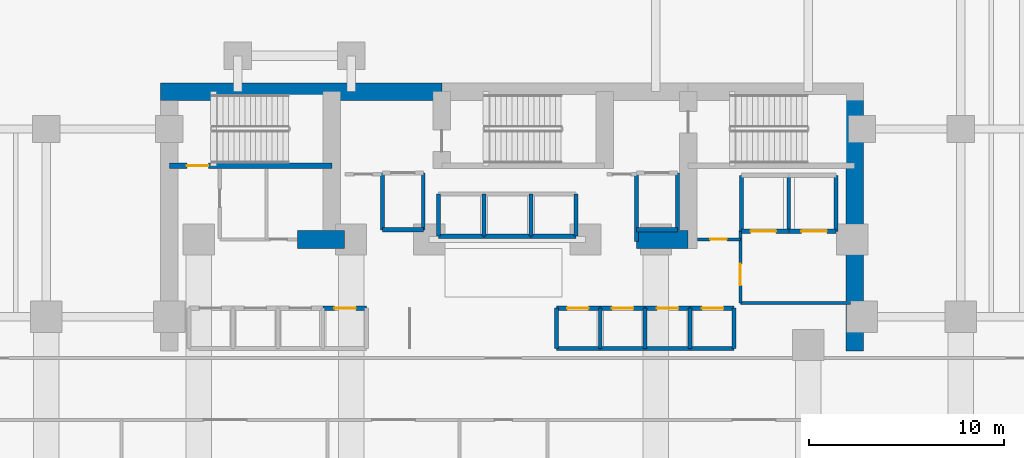
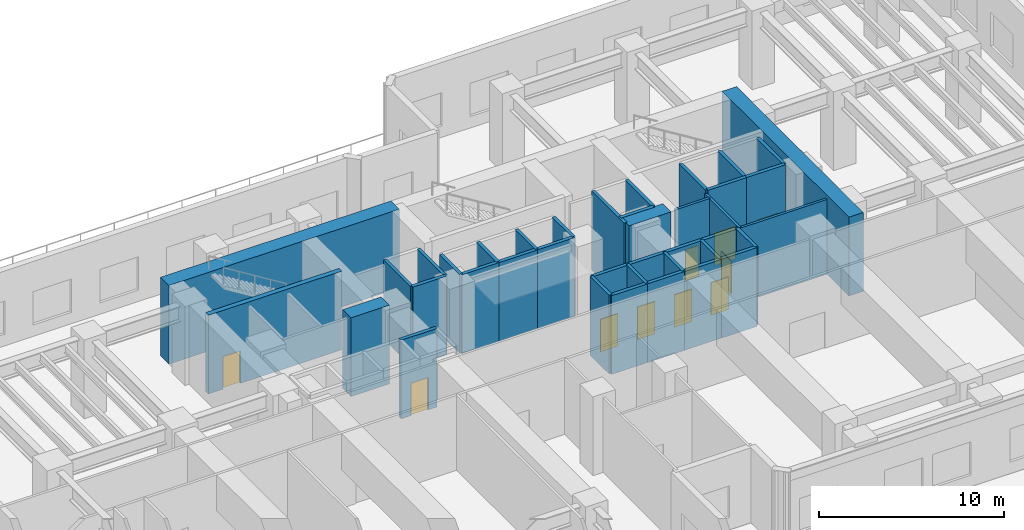
# One storey, part 6 of 13: 40 walls, 10 doors, 10 openings.
"""IFC4 building model written with IfcOpenShell, lengths in metres."""

import ifcopenshell
import ifcopenshell.guid

model = None  # the IFC model being written
_history = None  # IfcOwnerHistory: only IFC2X3 demands one
_inside = {}  # id of a spatial element -> (the spatial element, [elements in it])
_under = {}  # id of a project, library or spatial element -> (it, [spatial elements below it])
_declared = {}  # id of a project -> (the project, [libraries it declares])
_typed = {}  # id of a type object -> (the type object, [elements of that type])
_made_of = {}  # id of a material, layer set ... -> (it, [elements and type objects made of it])


def new_model(schema):
    """Start an empty IFC model of exactly this schema.

    Asked for "IFC4X3", IfcOpenShell would pick the latest addendum, in which some entities
    have other attributes; the version numbers below select the first issue.
    IFC2X3 requires an IfcOwnerHistory on every rooted entity: one is made here for all.
    """
    global model, _history
    if schema == "IFC4X3":
        model = ifcopenshell.file(schema_version=(4, 3, 0, 0))
    else:
        model = ifcopenshell.file(schema=schema)
    _inside.clear()
    _under.clear()
    _declared.clear()
    _typed.clear()
    _made_of.clear()
    _history = None
    if model.schema == "IFC2X3":
        org = make("IfcOrganization", Name="unknown")
        user = make(
            "IfcPersonAndOrganization",
            ThePerson=make("IfcPerson", FamilyName="unknown"),
            TheOrganization=org,
        )
        app = make(
            "IfcApplication",
            ApplicationDeveloper=org,
            Version="unknown",
            ApplicationFullName="unknown",
            ApplicationIdentifier="unknown",
        )
        _history = make(
            "IfcOwnerHistory",
            OwningUser=user,
            OwningApplication=app,
            ChangeAction="ADDED",
            CreationDate=0,
        )
    return model


def make(cls, **values):
    """One entity of the class cls with the attributes given. An attribute that is None is left unset."""
    return model.create_entity(
        cls, **{name: value for name, value in values.items() if value is not None}
    )


def rooted(cls, **values):
    """An entity with a GlobalId (a new one), such as an element, a storey or a relation."""
    return make(cls, GlobalId=ifcopenshell.guid.new(), OwnerHistory=_history, **values)


def si_unit(unit_type, name, prefix=None):
    """IfcSIUnit, for example si_unit("LENGTHUNIT", "METRE", prefix="MILLI")."""
    return make("IfcSIUnit", UnitType=unit_type, Prefix=prefix, Name=name)


def assignment(units):
    """IfcUnitAssignment: the units of a project."""
    return None if units is None else make("IfcUnitAssignment", Units=units)


def point(xyz):
    """IfcCartesianPoint."""
    return None if xyz is None else make("IfcCartesianPoint", Coordinates=xyz)


def direction(xyz):
    """IfcDirection."""
    return None if xyz is None else make("IfcDirection", DirectionRatios=xyz)


def frame(location, z_axis=None, x_axis=None):
    """IfcAxis2Placement3D, a coordinate frame: its origin and axes. An axis left out is left unset."""
    return make(
        "IfcAxis2Placement3D",
        Location=point(location),
        Axis=direction(z_axis),
        RefDirection=direction(x_axis),
    )


def frame_2d(location, x_axis=None):
    """IfcAxis2Placement2D, a coordinate frame in the plane: its origin and x axis."""
    return make(
        "IfcAxis2Placement2D", Location=point(location), RefDirection=direction(x_axis)
    )


def origin():
    """The frame at (0, 0, 0) with its axes left unset."""
    return frame((0.0, 0.0, 0.0))


def place(relative_to, where):
    """IfcLocalPlacement: puts the frame where relative to a parent placement (None: the world)."""
    return make(
        "IfcLocalPlacement", PlacementRelTo=relative_to, RelativePlacement=where
    )


def context(
    kind, dimensions, precision=None, world=None, true_north=None, identifier=None
):
    """IfcGeometricRepresentationContext, for example the 3D "Model" context."""
    return make(
        "IfcGeometricRepresentationContext",
        ContextIdentifier=identifier,
        ContextType=kind,
        CoordinateSpaceDimension=dimensions,
        Precision=precision,
        WorldCoordinateSystem=world,
        TrueNorth=true_north,
    )


def subcontext(parent, identifier, kind, view, scale=None):
    """IfcGeometricRepresentationSubContext, for example "Body" below "Model"."""
    return make(
        "IfcGeometricRepresentationSubContext",
        ContextIdentifier=identifier,
        ContextType=kind,
        ParentContext=parent,
        TargetScale=scale,
        TargetView=view,
    )


def project(units=None, contexts=None):
    """IfcProject with its units and contexts."""
    return rooted(
        "IfcProject",
        Name="project",
        RepresentationContexts=contexts,
        UnitsInContext=assignment(units),
    )


def spatial(cls, under=None, at=None, **own):
    """A site, building, storey or space (cls), placed at a placement, below another one or the project."""
    s = rooted(cls, ObjectPlacement=at, **own)
    if under is not None:
        _under.setdefault(under.id(), (under, []))[1].append(s)
    return s


def profile(cls, at=None, kind="AREA", **sizes):
    """A parametric profile (cls). Its sizes go by their IFC names, for example OverallWidth=200.0."""
    return make(cls, ProfileType=kind, Position=at, **sizes)


def rectangle(**sizes):
    """IfcRectangleProfileDef."""
    return profile("IfcRectangleProfileDef", **sizes)


def extrude(swept, where, along, depth):
    """IfcExtrudedAreaSolid: the profile swept, set in the frame where, extruded along a direction by depth."""
    return make(
        "IfcExtrudedAreaSolid",
        SweptArea=swept,
        Position=where,
        ExtrudedDirection=direction(along),
        Depth=depth,
    )


def shape(context_of_items, identifier, shape_type, items):
    """IfcShapeRepresentation: the items that make up one representation, for example the "Body"."""
    return make(
        "IfcShapeRepresentation",
        ContextOfItems=context_of_items,
        RepresentationIdentifier=identifier,
        RepresentationType=shape_type,
        Items=items,
    )


def material(Name=None, Category=None):
    """IfcMaterial."""
    return make("IfcMaterial", Name=Name, Category=Category)


def layer(
    of_material, thickness, ventilated=None, Name=None, Category=None, Priority=None
):
    """IfcMaterialLayer: one layer of a wall or slab, of a material (None: an air gap)."""
    return make(
        "IfcMaterialLayer",
        Material=of_material,
        LayerThickness=thickness,
        IsVentilated=ventilated,
        Name=Name,
        Category=Category,
        Priority=Priority,
    )


def layer_set(layers, Name=None):
    """IfcMaterialLayerSet."""
    return make("IfcMaterialLayerSet", MaterialLayers=layers, LayerSetName=Name)


def made_of(thing, what):
    """Note that an element or type object is made of a material, layer set ...; save() writes the relation."""
    if what is not None:
        _made_of.setdefault(what.id(), (what, []))[1].append(thing)
    return thing


def type_object(cls, material=None, **own):
    """A type object (cls), such as IfcWallType, which elements share."""
    return made_of(rooted(cls, **own), material)


def element(
    cls,
    number,
    at=None,
    inside=None,
    cuts=None,
    type_object=None,
    material=None,
    context=None,
    identifier="Body",
    shape_type=None,
    held_by="IfcProductDefinitionShape",
    body=None,
    shapes=None,
    **own,
):
    """One element of the class cls, such as IfcWall. Its Tag is "e" and its number.

    at: its placement. inside: the storey or other place that contains it. cuts: it is an
    opening in that element (IfcRelVoidsElement). A single representation is given by context,
    identifier, shape_type and body (its items); several are given by shapes. held_by: the class
    of the entity that holds the representations. save() writes the other relations.
    """
    e = rooted(cls, Tag="e%d" % number, ObjectPlacement=at, **own)
    if body is not None:
        shapes = [shape(context, identifier, shape_type, body)]
    if shapes is not None:
        e.Representation = make(held_by, Representations=shapes)
    if inside is not None:
        _inside.setdefault(inside.id(), (inside, []))[1].append(e)
    if cuts is not None:
        rooted(
            "IfcRelVoidsElement", RelatingBuildingElement=cuts, RelatedOpeningElement=e
        )
    if type_object is not None:
        _typed.setdefault(type_object.id(), (type_object, []))[1].append(e)
    return made_of(e, material)


def fill(opening, filler):
    """IfcRelFillsElement: the door or window that sits in an opening."""
    return rooted(
        "IfcRelFillsElement",
        RelatingOpeningElement=opening,
        RelatedBuildingElement=filler,
    )


def aggregate(whole, parts):
    """IfcRelAggregates: a whole, such as a stair, and the parts it consists of."""
    return rooted("IfcRelAggregates", RelatingObject=whole, RelatedObjects=parts)


def save(model, path):
    """Write the relations noted so far, then the file.

    IfcRelAggregates (storeys below a building ...), IfcRelContainedInSpatialStructure (elements
    in a storey), IfcRelDefinesByType, IfcRelAssociatesMaterial and IfcRelDeclares: one each for
    every whole, place, type object, material and project.
    """
    for whole, parts in _under.values():
        aggregate(whole, parts)
    for where, things in _inside.values():
        rooted(
            "IfcRelContainedInSpatialStructure",
            RelatedElements=things,
            RelatingStructure=where,
        )
    for kind, things in _typed.values():
        rooted("IfcRelDefinesByType", RelatedObjects=things, RelatingType=kind)
    for what, things in _made_of.values():
        rooted("IfcRelAssociatesMaterial", RelatedObjects=things, RelatingMaterial=what)
    for by, libraries in _declared.values():
        rooted("IfcRelDeclares", RelatingContext=by, RelatedDefinitions=libraries)
    model.write(path)


model = new_model("IFC4")

# Units and contexts
model_context = context("Model", 3, precision=1e-05, world=origin(), true_north=direction((0.0, 1.0)))
body_context = subcontext(model_context, "Body", "Model", "MODEL_VIEW")
ifc_project = project(units=[si_unit("LENGTHUNIT", "METRE"), si_unit("AREAUNIT", "SQUARE_METRE"), si_unit("VOLUMEUNIT", "CUBIC_METRE"), si_unit("PLANEANGLEUNIT", "RADIAN"), si_unit("MASSUNIT", "GRAM", prefix="KILO")], contexts=[model_context])

# Site, building, storey
site_placement = place(None, origin())
site = spatial("IfcSite", under=ifc_project, at=site_placement, CompositionType="ELEMENT")
building_placement = place(site_placement, origin())
building = spatial("IfcBuilding", under=site, at=building_placement, Name="Kestravale Grand Hotel", CompositionType="ELEMENT")
storey_placement = place(building_placement, frame((0.0, 0.0, 20.800048828125)))
storey = spatial("IfcBuildingStorey", under=building, at=storey_placement, Name="L04", CompositionType="ELEMENT", Elevation=20.800048828125)

# Walls
ifc_material_1 = material(Name="Concrete f'c 70 MPa", Category="concrete")
ifc_layer_1 = layer(ifc_material_1, 0.89990234375)
ifc_layer_set_1 = layer_set([ifc_layer_1], Name="EW-CORE-900")
wall_type_1 = type_object("IfcWallType", Name="EW-CORE-900", PredefinedType="SHEAR", material=ifc_layer_set_1)
wall_1_placement = place(storey_placement, frame((21.449951171875, 40.320068359375, 0.0), z_axis=(0.0, 0.0, 1.0), x_axis=(1.0, 0.0, 0.0)))
element("IfcWall", 1, at=wall_1_placement, inside=storey, type_object=wall_type_1, Name="L04 core shear wall N1", PredefinedType="SHEAR", context=body_context, shape_type="SweptSolid", body=[
    extrude(rectangle(XDim=14.400146484375, YDim=0.89990234375, at=frame_2d((7.2001953125, 0.0))), origin(), (0.0, 0.0, 1.0), 5.199951171875),
])
wall_2_placement = place(storey_placement, frame((56.969970703125, 27.050048828125, 0.0), z_axis=(0.0, 0.0, 1.0), x_axis=(0.0, 1.0, 0.0)))
element("IfcWall", 2, at=wall_2_placement, inside=storey, type_object=wall_type_1, Name="L04 core shear wall E1", PredefinedType="SHEAR", context=body_context, shape_type="SweptSolid", body=[
    extrude(rectangle(XDim=13.719970703125, YDim=0.89990234375, at=frame_2d((6.85986328125, 0.0))), origin(), (0.0, 0.0, 1.0), 5.199951171875),
])
wall_3_placement = place(storey_placement, frame((28.449951171875, 32.75, 0.0), z_axis=(0.0, 0.0, 1.0), x_axis=(1.0, 0.0, 0.0)))
element("IfcWall", 3, at=wall_3_placement, inside=storey, type_object=wall_type_1, Name="L04 core shear wall S1", PredefinedType="SHEAR", context=body_context, shape_type="SweptSolid", body=[
    extrude(rectangle(XDim=2.400146484375, YDim=0.89990234375, at=frame_2d((1.2001953125, 0.0))), origin(), (0.0, 0.0, 1.0), 5.199951171875),
])
wall_4_placement = place(storey_placement, frame((45.81005859375, 32.75, 0.0), z_axis=(0.0, 0.0, 1.0), x_axis=(1.0, 0.0, 0.0)))
element("IfcWall", 4, at=wall_4_placement, inside=storey, type_object=wall_type_1, Name="L04 core shear wall S2", PredefinedType="SHEAR", context=body_context, shape_type="SweptSolid", body=[
    extrude(rectangle(XDim=2.639892578125, YDim=0.89990234375, at=frame_2d((1.31982421875, 0.0))), origin(), (0.0, 0.0, 1.0), 5.199951171875),
])

# Wall, opening, door
ifc_material_2 = material(Name="Concrete f'c 45 MPa", Category="concrete")
ifc_layer_2 = layer(ifc_material_2, 0.300048828125)
ifc_layer_set_2 = layer_set([ifc_layer_2], Name="EW-STAIR-300")
wall_type_2 = type_object("IfcWallType", Name="EW-STAIR-300", PredefinedType="SHEAR", material=ifc_layer_set_2)
wall_5_placement = place(storey_placement, frame((21.89990234375, 36.52001953125, 0.0), z_axis=(0.0, 0.0, 1.0), x_axis=(1.0, 0.0, 0.0)))
wall_5 = element("IfcWall", 5, at=wall_5_placement, inside=storey, type_object=wall_type_2, Name="L04 stair enclosure shear wall SST1", PredefinedType="SHEAR", context=body_context, shape_type="SweptSolid", body=[
    extrude(rectangle(XDim=8.320068359375, YDim=0.300048828125, at=frame_2d((4.16015625, 0.0))), origin(), (0.0, 0.0, 1.0), 5.199951171875),
])
opening_1_placement = place(wall_5_placement, frame((0.89990234375, 0.0, 0.0)))
opening_1 = element("IfcOpeningElement", 6, at=opening_1_placement, cuts=wall_5, Name="Opening D-ST-1100", PredefinedType="OPENING", context=body_context, shape_type="SweptSolid", body=[
    extrude(rectangle(XDim=1.10009765625, YDim=2.14990234375, at=frame_2d((0.550048828125, 1.074951171875))), frame((0.0, 0.159912109375, 0.0), z_axis=(0.0, -1.0, 0.0), x_axis=(1.0, 0.0, 0.0)), (0.0, 0.0, 1.0), 0.320068359375),
])
ifc_material_3 = material(Name="Galvanised 90-minute fire-rated steel stair door", Category="steel")
door_type_1 = type_object("IfcDoorType", Name="D-ST-1100", OperationType="NOTDEFINED", PredefinedType="DOOR", material=ifc_material_3)
door_1_placement = place(opening_1_placement, origin())
door_1 = element("IfcDoor", 7, at=door_1_placement, inside=storey, type_object=door_type_1, Name="L04 Stair ST-1 fire door", OperationType="SINGLE_SWING_RIGHT", OverallHeight=2.14990234375, OverallWidth=1.10009765625, PredefinedType="DOOR", context=body_context, shape_type="SweptSolid", body=[
    extrude(rectangle(XDim=1.10009765625, YDim=2.14990234375, at=frame_2d((0.550048828125, 1.074951171875))), frame((0.0, 0.02490234375, 0.0), z_axis=(0.0, -1.0, 0.0), x_axis=(1.0, 0.0, 0.0)), (0.0, 0.0, 1.0), 0.050048828125),
])
fill(opening_1, door_1)

ifc_material_4 = material(Name="Acoustic fire-rated gypsum board partition", Category="other")
ifc_layer_3 = layer(ifc_material_4, 0.159912109375)
ifc_layer_set_3 = layer_set([ifc_layer_3], Name="IW-CORR-160")
wall_type_3 = type_object("IfcWallType", Name="IW-CORR-160", PredefinedType="PARTITIONING", material=ifc_layer_set_3)
wall_6_placement = place(storey_placement, frame((51.1201171875, 29.5, 0.0), z_axis=(0.0, 0.0, 1.0), x_axis=(0.0, 1.0, 0.0)))
wall_6 = element("IfcWall", 8, at=wall_6_placement, inside=storey, type_object=wall_type_3, Name="W-L04-SVCLOB-W", PredefinedType="PARTITIONING", context=body_context, shape_type="SweptSolid", body=[
    extrude(rectangle(XDim=3.699951171875, YDim=0.159912109375, at=frame_2d((1.85009765625, 0.0))), origin(), (0.0, 0.0, 1.0), 4.93994140625),
])
opening_2_placement = place(wall_6_placement, frame((0.89990234375, 0.0, 0.0)))
opening_2 = element("IfcOpeningElement", 9, at=opening_2_placement, cuts=wall_6, Name="Opening D-CORR-1100", PredefinedType="OPENING", context=body_context, shape_type="SweptSolid", body=[
    extrude(rectangle(XDim=1.10009765625, YDim=2.14990234375, at=frame_2d((0.550048828125, 1.074951171875))), frame((0.0, 0.08984375, 0.0), z_axis=(0.0, -1.0, 0.0), x_axis=(1.0, 0.0, 0.0)), (0.0, 0.0, 1.0), 0.179931640625),
])
ifc_material_5 = material(Name="Single-leaf service vestibule fire door", Category="steel")
door_type_2 = type_object("IfcDoorType", Name="D-CORR-1100", OperationType="NOTDEFINED", PredefinedType="DOOR", material=ifc_material_5)
door_2_placement = place(opening_2_placement, origin())
door_2 = element("IfcDoor", 10, at=door_2_placement, inside=storey, type_object=door_type_2, Name="L04 service lift lobby door", OperationType="SINGLE_SWING_LEFT", OverallHeight=2.14990234375, OverallWidth=1.10009765625, PredefinedType="DOOR", context=body_context, shape_type="SweptSolid", body=[
    extrude(rectangle(XDim=1.10009765625, YDim=2.14990234375, at=frame_2d((0.550048828125, 1.074951171875))), frame((0.0, 0.02490234375, 0.0), z_axis=(0.0, -1.0, 0.0), x_axis=(1.0, 0.0, 0.0)), (0.0, 0.0, 1.0), 0.050048828125),
])
fill(opening_2, door_2)

# Wall
wall_7_placement = place(storey_placement, frame((51.1201171875, 29.5, 0.0), z_axis=(0.0, 0.0, 1.0), x_axis=(1.0, 0.0, 0.0)))
element("IfcWall", 11, at=wall_7_placement, inside=storey, type_object=wall_type_3, Name="L04 service lift lobby wall", PredefinedType="PARTITIONING", context=body_context, shape_type="SweptSolid", body=[
    extrude(rectangle(XDim=5.6298828125, YDim=0.159912109375, at=frame_2d((2.81494140625, 0.0))), origin(), (0.0, 0.0, 1.0), 4.93994140625),
])

# Wall, opening, door
wall_8_placement = place(storey_placement, frame((48.919921875, 32.75, 0.0), z_axis=(0.0, 0.0, 1.0), x_axis=(1.0, 0.0, 0.0)))
wall_8 = element("IfcWall", 12, at=wall_8_placement, inside=storey, type_object=wall_type_3, Name="W-L04-CES", PredefinedType="PARTITIONING", context=body_context, shape_type="SweptSolid", body=[
    extrude(rectangle(XDim=2.2001953125, YDim=0.159912109375, at=frame_2d((1.10009765625, 0.0))), origin(), (0.0, 0.0, 1.0), 4.93994140625),
])
opening_3_placement = place(wall_8_placement, frame((0.64990234375, 0.0, 0.0)))
opening_3 = element("IfcOpeningElement", 13, at=opening_3_placement, cuts=wall_8, Name="Opening D-SH-860", PredefinedType="OPENING", context=body_context, shape_type="SweptSolid", body=[
    extrude(rectangle(XDim=0.860107421875, YDim=2.050048828125, at=frame_2d((0.43017578125, 1.02490234375))), frame((0.0, 0.08984375, 0.0), z_axis=(0.0, -1.0, 0.0), x_axis=(1.0, 0.0, 0.0)), (0.0, 0.0, 1.0), 0.179931640625),
])
ifc_material_6 = material(Name="Galvanised 90-minute riser fire door", Category="steel")
door_type_3 = type_object("IfcDoorType", Name="D-SH-860", OperationType="NOTDEFINED", PredefinedType="DOOR", material=ifc_material_6)
door_3_placement = place(opening_3_placement, origin())
door_3 = element("IfcDoor", 14, at=door_3_placement, inside=storey, type_object=door_type_3, Name="L04 CSTO1 door", OperationType="SINGLE_SWING_RIGHT", OverallHeight=2.050048828125, OverallWidth=0.860107421875, PredefinedType="DOOR", context=body_context, shape_type="SweptSolid", body=[
    extrude(rectangle(XDim=0.860107421875, YDim=2.050048828125, at=frame_2d((0.43017578125, 1.02490234375))), frame((0.0, 0.02490234375, 0.0), z_axis=(0.0, -1.0, 0.0), x_axis=(1.0, 0.0, 0.0)), (0.0, 0.0, 1.0), 0.050048828125),
])
fill(opening_3, door_3)

# Walls
ifc_material_7 = material(Name="Concrete f'c 45 MPa", Category="concrete")
ifc_layer_4 = layer(ifc_material_7, 0.199951171875)
ifc_layer_set_4 = layer_set([ifc_layer_4], Name="IW-SHAFT-200")
wall_type_4 = type_object("IfcWallType", Name="IW-SHAFT-200", PredefinedType="SHEAR", material=ifc_layer_set_4)
for number, where, z_axis, x_axis, name in (
    (15, (41.705078125, 27.169921875, 0.0), (0.0, 0.0, 1.0), (0.0, 1.0, 0.0), "L04 PL-M1 west shaft wall"),
    (16, (43.949951171875, 27.169921875, 0.0), (0.0, 0.0, 1.0), (0.0, 1.0, 0.0), "L04 PL-M2 west shaft wall"),
    (17, (46.25, 27.169921875, 0.0), (0.0, 0.0, 1.0), (0.0, 1.0, 0.0), "L04 PL-M3 west shaft wall"),
    (18, (48.550048828125, 27.169921875, 0.0), (0.0, 0.0, 1.0), (0.0, 1.0, 0.0), "L04 PL-M4 west shaft wall"),
    (19, (50.794921875, 27.169921875, 0.0), (0.0, 0.0, 1.0), (0.0, 1.0, 0.0), "L04 PL-M4 east shaft wall"),
):
    element("IfcWall", number, at=place(storey_placement, frame(where, z_axis=z_axis, x_axis=x_axis)), inside=storey, type_object=wall_type_4, Name=name, PredefinedType="SHEAR", context=body_context, shape_type="SweptSolid", body=[
        extrude(rectangle(XDim=2.06005859375, YDim=0.199951171875, at=frame_2d((1.030029296875, 0.0))), origin(), (0.0, 0.0, 1.0), 5.199951171875),
    ])
for number, where, z_axis, x_axis, name in (
    (20, (35.679931640625, 32.919921875, 0.0), (0.0, 0.0, 1.0), (0.0, 1.0, 0.0), "L04 PL-X1 west shaft wall"),
    (21, (38.0, 32.919921875, 0.0), (0.0, 0.0, 1.0), (0.0, 1.0, 0.0), "L04 PL-X2 west shaft wall"),
    (22, (40.39990234375, 32.919921875, 0.0), (0.0, 0.0, 1.0), (0.0, 1.0, 0.0), "L04 PL-X3 west shaft wall"),
    (23, (42.719970703125, 32.919921875, 0.0), (0.0, 0.0, 1.0), (0.0, 1.0, 0.0), "L04 PL-X3 east shaft wall"),
):
    element("IfcWall", number, at=place(storey_placement, frame(where, z_axis=z_axis, x_axis=x_axis)), inside=storey, type_object=wall_type_4, Name=name, PredefinedType="SHEAR", context=body_context, shape_type="SweptSolid", body=[
        extrude(rectangle(XDim=2.16015625, YDim=0.199951171875, at=frame_2d((1.080078125, 0.0))), origin(), (0.0, 0.0, 1.0), 5.199951171875),
    ])
for number, where, z_axis, x_axis, name in (
    (24, (51.179931640625, 33.169921875, 0.0), (0.0, 0.0, 1.0), (0.0, 1.0, 0.0), "L04 SL-1 west shaft wall"),
    (25, (53.60009765625, 33.169921875, 0.0), (0.0, 0.0, 1.0), (0.0, 1.0, 0.0), "L04 SL-2 west shaft wall"),
    (26, (56.02001953125, 33.169921875, 0.0), (0.0, 0.0, 1.0), (0.0, 1.0, 0.0), "L04 SL-2 east shaft wall"),
):
    element("IfcWall", number, at=place(storey_placement, frame(where, z_axis=z_axis, x_axis=x_axis)), inside=storey, type_object=wall_type_4, Name=name, PredefinedType="SHEAR", context=body_context, shape_type="SweptSolid", body=[
        extrude(rectangle(XDim=2.860107421875, YDim=0.199951171875, at=frame_2d((1.43017578125, 0.0))), origin(), (0.0, 0.0, 1.0), 5.199951171875),
    ])
for number, where, z_axis, x_axis, name in (
    (27, (32.804931640625, 33.2451171875, 0.0), (0.0, 0.0, 1.0), (0.0, 1.0, 0.0), "L04 FL-1 west shaft wall"),
    (28, (34.89501953125, 33.2451171875, 0.0), (0.0, 0.0, 1.0), (0.0, 1.0, 0.0), "L04 FL-1 east shaft wall"),
):
    element("IfcWall", number, at=place(storey_placement, frame(where, z_axis=z_axis, x_axis=x_axis)), inside=storey, type_object=wall_type_4, Name=name, PredefinedType="SHEAR", context=body_context, shape_type="SweptSolid", body=[
        extrude(rectangle(XDim=2.909912109375, YDim=0.199951171875, at=frame_2d((1.455078125, 0.0))), origin(), (0.0, 0.0, 1.0), 5.199951171875),
    ])
wall_9_placement = place(storey_placement, frame((45.804931640625, 32.64990234375, 0.0), z_axis=(0.0, 0.0, 1.0), x_axis=(0.0, 1.0, 0.0)))
element("IfcWall", 29, at=wall_9_placement, inside=storey, type_object=wall_type_4, Name="L04 FL-2 west shaft wall", PredefinedType="SHEAR", context=body_context, shape_type="SweptSolid", body=[
    extrude(rectangle(XDim=3.505126953125, YDim=0.199951171875, at=frame_2d((1.75244140625, 0.0))), origin(), (0.0, 0.0, 1.0), 5.199951171875),
])
wall_10_placement = place(storey_placement, frame((47.89501953125, 33.2451171875, 0.0), z_axis=(0.0, 0.0, 1.0), x_axis=(0.0, 1.0, 0.0)))
element("IfcWall", 30, at=wall_10_placement, inside=storey, type_object=wall_type_4, Name="L04 FL-2 east shaft wall", PredefinedType="SHEAR", context=body_context, shape_type="SweptSolid", body=[
    extrude(rectangle(XDim=2.909912109375, YDim=0.199951171875, at=frame_2d((1.455078125, 0.0))), origin(), (0.0, 0.0, 1.0), 5.199951171875),
])

# Wall, opening, door
ifc_material_8 = material(Name="Concrete f'c 45 MPa", Category="concrete")
ifc_layer_5 = layer(ifc_material_8, 0.219970703125)
ifc_layer_set_5 = layer_set([ifc_layer_5], Name="IW-SHAFT-220")
wall_type_5 = type_object("IfcWallType", Name="IW-SHAFT-220", PredefinedType="SHEAR", material=ifc_layer_set_5)
wall_11_placement = place(storey_placement, frame((29.75, 29.22998046875, 0.0), z_axis=(0.0, 0.0, 1.0), x_axis=(1.0, 0.0, 0.0)))
wall_11 = element("IfcWall", 31, at=wall_11_placement, inside=storey, type_object=wall_type_5, Name="L04 PL-L4 north shaft wall", PredefinedType="SHEAR", context=body_context, shape_type="SweptSolid", body=[
    extrude(rectangle(XDim=2.2451171875, YDim=0.219970703125, at=frame_2d((1.12255859375, 0.0))), origin(), (0.0, 0.0, 1.0), 5.199951171875),
])
opening_4_placement = place(wall_11_placement, frame((0.60009765625, 0.0, 0.0)))
opening_4 = element("IfcOpeningElement", 32, at=opening_4_placement, cuts=wall_11, Name="Opening LD-PAX-1100", PredefinedType="OPENING", context=body_context, shape_type="SweptSolid", body=[
    extrude(rectangle(XDim=1.10009765625, YDim=2.14990234375, at=frame_2d((0.550048828125, 1.074951171875))), frame((0.0, 0.119873046875, 0.0), z_axis=(0.0, -1.0, 0.0), x_axis=(1.0, 0.0, 0.0)), (0.0, 0.0, 1.0), 0.239990234375),
])
ifc_material_9 = material(Name="Champagne-bronze center-opening sliding elevator landing door", Category="steel")
door_type_4 = type_object("IfcDoorType", Name="LD-PAX-1100", OperationType="NOTDEFINED", PredefinedType="DOOR", material=ifc_material_9)
door_4_placement = place(opening_4_placement, origin())
door_4 = element("IfcDoor", 33, at=door_4_placement, inside=storey, type_object=door_type_4, Name="L04 PL-L4 elevator landing sliding door", OperationType="DOUBLE_DOOR_SLIDING", OverallHeight=2.14990234375, OverallWidth=1.10009765625, PredefinedType="DOOR", context=body_context, shape_type="SweptSolid", body=[
    extrude(rectangle(XDim=1.10009765625, YDim=2.14990234375, at=frame_2d((0.550048828125, 1.074951171875))), frame((0.0, 0.02490234375, 0.0), z_axis=(0.0, -1.0, 0.0), x_axis=(1.0, 0.0, 0.0)), (0.0, 0.0, 1.0), 0.050048828125),
])
fill(opening_4, door_4)

wall_12_placement = place(storey_placement, frame((41.705078125, 29.22998046875, 0.0), z_axis=(0.0, 0.0, 1.0), x_axis=(1.0, 0.0, 0.0)))
wall_12 = element("IfcWall", 34, at=wall_12_placement, inside=storey, type_object=wall_type_5, Name="L04 PL-M1 north shaft wall", PredefinedType="SHEAR", context=body_context, shape_type="SweptSolid", body=[
    extrude(rectangle(XDim=2.244873046875, YDim=0.219970703125, at=frame_2d((1.12255859375, 0.0))), origin(), (0.0, 0.0, 1.0), 5.199951171875),
])
opening_5_placement = place(wall_12_placement, frame((0.544921875, 0.0, 0.0)))
opening_5 = element("IfcOpeningElement", 35, at=opening_5_placement, cuts=wall_12, Name="Opening LD-PAX-1100", PredefinedType="OPENING", context=body_context, shape_type="SweptSolid", body=[
    extrude(rectangle(XDim=1.10009765625, YDim=2.14990234375, at=frame_2d((0.550048828125, 1.074951171875))), frame((0.0, 0.119873046875, 0.0), z_axis=(0.0, -1.0, 0.0), x_axis=(1.0, 0.0, 0.0)), (0.0, 0.0, 1.0), 0.239990234375),
])
door_5_placement = place(opening_5_placement, origin())
door_5 = element("IfcDoor", 36, at=door_5_placement, inside=storey, type_object=door_type_4, Name="L04 PL-M1 elevator landing sliding door", OperationType="DOUBLE_DOOR_SLIDING", OverallHeight=2.14990234375, OverallWidth=1.10009765625, PredefinedType="DOOR", context=body_context, shape_type="SweptSolid", body=[
    extrude(rectangle(XDim=1.10009765625, YDim=2.14990234375, at=frame_2d((0.550048828125, 1.074951171875))), frame((0.0, 0.02490234375, 0.0), z_axis=(0.0, -1.0, 0.0), x_axis=(1.0, 0.0, 0.0)), (0.0, 0.0, 1.0), 0.050048828125),
])
fill(opening_5, door_5)

# Wall
wall_13_placement = place(storey_placement, frame((41.705078125, 27.169921875, 0.0), z_axis=(0.0, 0.0, 1.0), x_axis=(1.0, 0.0, 0.0)))
element("IfcWall", 37, at=wall_13_placement, inside=storey, type_object=wall_type_5, Name="L04 PL-M1 south shaft wall", PredefinedType="SHEAR", context=body_context, shape_type="SweptSolid", body=[
    extrude(rectangle(XDim=2.244873046875, YDim=0.219970703125, at=frame_2d((1.12255859375, 0.0))), origin(), (0.0, 0.0, 1.0), 5.199951171875),
])

# Wall, opening, door
wall_14_placement = place(storey_placement, frame((43.949951171875, 29.22998046875, 0.0), z_axis=(0.0, 0.0, 1.0), x_axis=(1.0, 0.0, 0.0)))
wall_14 = element("IfcWall", 38, at=wall_14_placement, inside=storey, type_object=wall_type_5, Name="L04 PL-M2 north shaft wall", PredefinedType="SHEAR", context=body_context, shape_type="SweptSolid", body=[
    extrude(rectangle(XDim=2.300048828125, YDim=0.219970703125, at=frame_2d((1.14990234375, 0.0))), origin(), (0.0, 0.0, 1.0), 5.199951171875),
])
opening_6_placement = place(wall_14_placement, frame((0.60009765625, 0.0, 0.0)))
opening_6 = element("IfcOpeningElement", 39, at=opening_6_placement, cuts=wall_14, Name="Opening LD-PAX-1100", PredefinedType="OPENING", context=body_context, shape_type="SweptSolid", body=[
    extrude(rectangle(XDim=1.10009765625, YDim=2.14990234375, at=frame_2d((0.550048828125, 1.074951171875))), frame((0.0, 0.119873046875, 0.0), z_axis=(0.0, -1.0, 0.0), x_axis=(1.0, 0.0, 0.0)), (0.0, 0.0, 1.0), 0.239990234375),
])
door_6_placement = place(opening_6_placement, origin())
door_6 = element("IfcDoor", 40, at=door_6_placement, inside=storey, type_object=door_type_4, Name="L04 PL-M2 elevator landing sliding door", OperationType="DOUBLE_DOOR_SLIDING", OverallHeight=2.14990234375, OverallWidth=1.10009765625, PredefinedType="DOOR", context=body_context, shape_type="SweptSolid", body=[
    extrude(rectangle(XDim=1.10009765625, YDim=2.14990234375, at=frame_2d((0.550048828125, 1.074951171875))), frame((0.0, 0.02490234375, 0.0), z_axis=(0.0, -1.0, 0.0), x_axis=(1.0, 0.0, 0.0)), (0.0, 0.0, 1.0), 0.050048828125),
])
fill(opening_6, door_6)

# Wall
wall_15_placement = place(storey_placement, frame((43.949951171875, 27.169921875, 0.0), z_axis=(0.0, 0.0, 1.0), x_axis=(1.0, 0.0, 0.0)))
element("IfcWall", 41, at=wall_15_placement, inside=storey, type_object=wall_type_5, Name="L04 PL-M2 south shaft wall", PredefinedType="SHEAR", context=body_context, shape_type="SweptSolid", body=[
    extrude(rectangle(XDim=2.300048828125, YDim=0.219970703125, at=frame_2d((1.14990234375, 0.0))), origin(), (0.0, 0.0, 1.0), 5.199951171875),
])

# Wall, opening, door
wall_16_placement = place(storey_placement, frame((46.25, 29.22998046875, 0.0), z_axis=(0.0, 0.0, 1.0), x_axis=(1.0, 0.0, 0.0)))
wall_16 = element("IfcWall", 42, at=wall_16_placement, inside=storey, type_object=wall_type_5, Name="L04 PL-M3 north shaft wall", PredefinedType="SHEAR", context=body_context, shape_type="SweptSolid", body=[
    extrude(rectangle(XDim=2.300048828125, YDim=0.219970703125, at=frame_2d((1.14990234375, 0.0))), origin(), (0.0, 0.0, 1.0), 5.199951171875),
])
opening_7_placement = place(wall_16_placement, frame((0.60009765625, 0.0, 0.0)))
opening_7 = element("IfcOpeningElement", 43, at=opening_7_placement, cuts=wall_16, Name="Opening LD-PAX-1100", PredefinedType="OPENING", context=body_context, shape_type="SweptSolid", body=[
    extrude(rectangle(XDim=1.10009765625, YDim=2.14990234375, at=frame_2d((0.550048828125, 1.074951171875))), frame((0.0, 0.119873046875, 0.0), z_axis=(0.0, -1.0, 0.0), x_axis=(1.0, 0.0, 0.0)), (0.0, 0.0, 1.0), 0.239990234375),
])
door_7_placement = place(opening_7_placement, origin())
door_7 = element("IfcDoor", 44, at=door_7_placement, inside=storey, type_object=door_type_4, Name="L04 PL-M3 elevator landing sliding door", OperationType="DOUBLE_DOOR_SLIDING", OverallHeight=2.14990234375, OverallWidth=1.10009765625, PredefinedType="DOOR", context=body_context, shape_type="SweptSolid", body=[
    extrude(rectangle(XDim=1.10009765625, YDim=2.14990234375, at=frame_2d((0.550048828125, 1.074951171875))), frame((0.0, 0.02490234375, 0.0), z_axis=(0.0, -1.0, 0.0), x_axis=(1.0, 0.0, 0.0)), (0.0, 0.0, 1.0), 0.050048828125),
])
fill(opening_7, door_7)

# Wall
wall_17_placement = place(storey_placement, frame((46.25, 27.169921875, 0.0), z_axis=(0.0, 0.0, 1.0), x_axis=(1.0, 0.0, 0.0)))
element("IfcWall", 45, at=wall_17_placement, inside=storey, type_object=wall_type_5, Name="L04 PL-M3 south shaft wall", PredefinedType="SHEAR", context=body_context, shape_type="SweptSolid", body=[
    extrude(rectangle(XDim=2.300048828125, YDim=0.219970703125, at=frame_2d((1.14990234375, 0.0))), origin(), (0.0, 0.0, 1.0), 5.199951171875),
])

# Wall, opening, door
wall_18_placement = place(storey_placement, frame((48.550048828125, 29.22998046875, 0.0), z_axis=(0.0, 0.0, 1.0), x_axis=(1.0, 0.0, 0.0)))
wall_18 = element("IfcWall", 46, at=wall_18_placement, inside=storey, type_object=wall_type_5, Name="L04 PL-M4 north shaft wall", PredefinedType="SHEAR", context=body_context, shape_type="SweptSolid", body=[
    extrude(rectangle(XDim=2.244873046875, YDim=0.219970703125, at=frame_2d((1.12255859375, 0.0))), origin(), (0.0, 0.0, 1.0), 5.199951171875),
])
opening_8_placement = place(wall_18_placement, frame((0.60009765625, 0.0, 0.0)))
opening_8 = element("IfcOpeningElement", 47, at=opening_8_placement, cuts=wall_18, Name="Opening LD-PAX-1100", PredefinedType="OPENING", context=body_context, shape_type="SweptSolid", body=[
    extrude(rectangle(XDim=1.10009765625, YDim=2.14990234375, at=frame_2d((0.550048828125, 1.074951171875))), frame((0.0, 0.119873046875, 0.0), z_axis=(0.0, -1.0, 0.0), x_axis=(1.0, 0.0, 0.0)), (0.0, 0.0, 1.0), 0.239990234375),
])
door_8_placement = place(opening_8_placement, origin())
door_8 = element("IfcDoor", 48, at=door_8_placement, inside=storey, type_object=door_type_4, Name="L04 PL-M4 elevator landing sliding door", OperationType="DOUBLE_DOOR_SLIDING", OverallHeight=2.14990234375, OverallWidth=1.10009765625, PredefinedType="DOOR", context=body_context, shape_type="SweptSolid", body=[
    extrude(rectangle(XDim=1.10009765625, YDim=2.14990234375, at=frame_2d((0.550048828125, 1.074951171875))), frame((0.0, 0.02490234375, 0.0), z_axis=(0.0, -1.0, 0.0), x_axis=(1.0, 0.0, 0.0)), (0.0, 0.0, 1.0), 0.050048828125),
])
fill(opening_8, door_8)

# Walls
wall_19_placement = place(storey_placement, frame((48.550048828125, 27.169921875, 0.0), z_axis=(0.0, 0.0, 1.0), x_axis=(1.0, 0.0, 0.0)))
element("IfcWall", 49, at=wall_19_placement, inside=storey, type_object=wall_type_5, Name="L04 PL-M4 south shaft wall", PredefinedType="SHEAR", context=body_context, shape_type="SweptSolid", body=[
    extrude(rectangle(XDim=2.244873046875, YDim=0.219970703125, at=frame_2d((1.12255859375, 0.0))), origin(), (0.0, 0.0, 1.0), 5.199951171875),
])
wall_20_placement = place(storey_placement, frame((35.679931640625, 32.919921875, 0.0), z_axis=(0.0, 0.0, 1.0), x_axis=(1.0, 0.0, 0.0)))
element("IfcWall", 50, at=wall_20_placement, inside=storey, type_object=wall_type_5, Name="L04 PL-X1 south shaft wall", PredefinedType="SHEAR", context=body_context, shape_type="SweptSolid", body=[
    extrude(rectangle(XDim=2.320068359375, YDim=0.219970703125, at=frame_2d((1.16015625, 0.0))), origin(), (0.0, 0.0, 1.0), 5.199951171875),
])
wall_21_placement = place(storey_placement, frame((38.0, 32.919921875, 0.0), z_axis=(0.0, 0.0, 1.0), x_axis=(1.0, 0.0, 0.0)))
element("IfcWall", 51, at=wall_21_placement, inside=storey, type_object=wall_type_5, Name="L04 PL-X2 south shaft wall", PredefinedType="SHEAR", context=body_context, shape_type="SweptSolid", body=[
    extrude(rectangle(XDim=2.39990234375, YDim=0.219970703125, at=frame_2d((1.199951171875, 0.0))), origin(), (0.0, 0.0, 1.0), 5.199951171875),
])
wall_22_placement = place(storey_placement, frame((40.39990234375, 32.919921875, 0.0), z_axis=(0.0, 0.0, 1.0), x_axis=(1.0, 0.0, 0.0)))
element("IfcWall", 52, at=wall_22_placement, inside=storey, type_object=wall_type_5, Name="L04 PL-X3 south shaft wall", PredefinedType="SHEAR", context=body_context, shape_type="SweptSolid", body=[
    extrude(rectangle(XDim=2.320068359375, YDim=0.219970703125, at=frame_2d((1.16015625, 0.0))), origin(), (0.0, 0.0, 1.0), 5.199951171875),
])

# Wall, opening, door
wall_23_placement = place(storey_placement, frame((51.179931640625, 33.169921875, 0.0), z_axis=(0.0, 0.0, 1.0), x_axis=(1.0, 0.0, 0.0)))
wall_23 = element("IfcWall", 53, at=wall_23_placement, inside=storey, type_object=wall_type_5, Name="L04 SL-1 south shaft wall", PredefinedType="SHEAR", context=body_context, shape_type="SweptSolid", body=[
    extrude(rectangle(XDim=2.420166015625, YDim=0.219970703125, at=frame_2d((1.2099609375, 0.0))), origin(), (0.0, 0.0, 1.0), 5.199951171875),
])
opening_9_placement = place(wall_23_placement, frame((0.469970703125, 0.0, 0.0)))
opening_9 = element("IfcOpeningElement", 54, at=opening_9_placement, cuts=wall_23, Name="Opening LD-SVC-1300", PredefinedType="OPENING", context=body_context, shape_type="SweptSolid", body=[
    extrude(rectangle(XDim=1.300048828125, YDim=2.14990234375, at=frame_2d((0.64990234375, 1.074951171875))), frame((0.0, 0.119873046875, 0.0), z_axis=(0.0, -1.0, 0.0), x_axis=(1.0, 0.0, 0.0)), (0.0, 0.0, 1.0), 0.239990234375),
])
ifc_material_10 = material(Name="Heavy-duty service sliding elevator landing door", Category="steel")
door_type_5 = type_object("IfcDoorType", Name="LD-SVC-1300", OperationType="NOTDEFINED", PredefinedType="DOOR", material=ifc_material_10)
door_9_placement = place(opening_9_placement, origin())
door_9 = element("IfcDoor", 55, at=door_9_placement, inside=storey, type_object=door_type_5, Name="L04 SL-1 elevator landing sliding door", OperationType="DOUBLE_DOOR_SLIDING", OverallHeight=2.14990234375, OverallWidth=1.300048828125, PredefinedType="DOOR", context=body_context, shape_type="SweptSolid", body=[
    extrude(rectangle(XDim=1.300048828125, YDim=2.14990234375, at=frame_2d((0.64990234375, 1.074951171875))), frame((0.0, 0.02490234375, 0.0), z_axis=(0.0, -1.0, 0.0), x_axis=(1.0, 0.0, 0.0)), (0.0, 0.0, 1.0), 0.050048828125),
])
fill(opening_9, door_9)

wall_24_placement = place(storey_placement, frame((53.60009765625, 33.169921875, 0.0), z_axis=(0.0, 0.0, 1.0), x_axis=(1.0, 0.0, 0.0)))
wall_24 = element("IfcWall", 56, at=wall_24_placement, inside=storey, type_object=wall_type_5, Name="L04 SL-2 south shaft wall", PredefinedType="SHEAR", context=body_context, shape_type="SweptSolid", body=[
    extrude(rectangle(XDim=2.419921875, YDim=0.219970703125, at=frame_2d((1.2099609375, 0.0))), origin(), (0.0, 0.0, 1.0), 5.199951171875),
])
opening_10_placement = place(wall_24_placement, frame((0.64990234375, 0.0, 0.0)))
opening_10 = element("IfcOpeningElement", 57, at=opening_10_placement, cuts=wall_24, Name="Opening LD-SVC-1300", PredefinedType="OPENING", context=body_context, shape_type="SweptSolid", body=[
    extrude(rectangle(XDim=1.300048828125, YDim=2.14990234375, at=frame_2d((0.64990234375, 1.074951171875))), frame((0.0, 0.119873046875, 0.0), z_axis=(0.0, -1.0, 0.0), x_axis=(1.0, 0.0, 0.0)), (0.0, 0.0, 1.0), 0.239990234375),
])
door_10_placement = place(opening_10_placement, origin())
door_10 = element("IfcDoor", 58, at=door_10_placement, inside=storey, type_object=door_type_5, Name="L04 SL-2 elevator landing sliding door", OperationType="DOUBLE_DOOR_SLIDING", OverallHeight=2.14990234375, OverallWidth=1.300048828125, PredefinedType="DOOR", context=body_context, shape_type="SweptSolid", body=[
    extrude(rectangle(XDim=1.300048828125, YDim=2.14990234375, at=frame_2d((0.64990234375, 1.074951171875))), frame((0.0, 0.02490234375, 0.0), z_axis=(0.0, -1.0, 0.0), x_axis=(1.0, 0.0, 0.0)), (0.0, 0.0, 1.0), 0.050048828125),
])
fill(opening_10, door_10)

# Walls
for number, where, z_axis, x_axis, name in (
    (59, (32.804931640625, 33.2451171875, 0.0), (0.0, 0.0, 1.0), (1.0, 0.0, 0.0), "L04 FL-1 south shaft wall"),
    (60, (45.804931640625, 33.2451171875, 0.0), (0.0, 0.0, 1.0), (1.0, 0.0, 0.0), "L04 FL-2 south shaft wall"),
):
    element("IfcWall", number, at=place(storey_placement, frame(where, z_axis=z_axis, x_axis=x_axis)), inside=storey, type_object=wall_type_5, Name=name, PredefinedType="SHEAR", context=body_context, shape_type="SweptSolid", body=[
        extrude(rectangle(XDim=2.090087890625, YDim=0.219970703125, at=frame_2d((1.044921875, 0.0))), origin(), (0.0, 0.0, 1.0), 5.199951171875),
    ])

save(model, "model.ifc")
